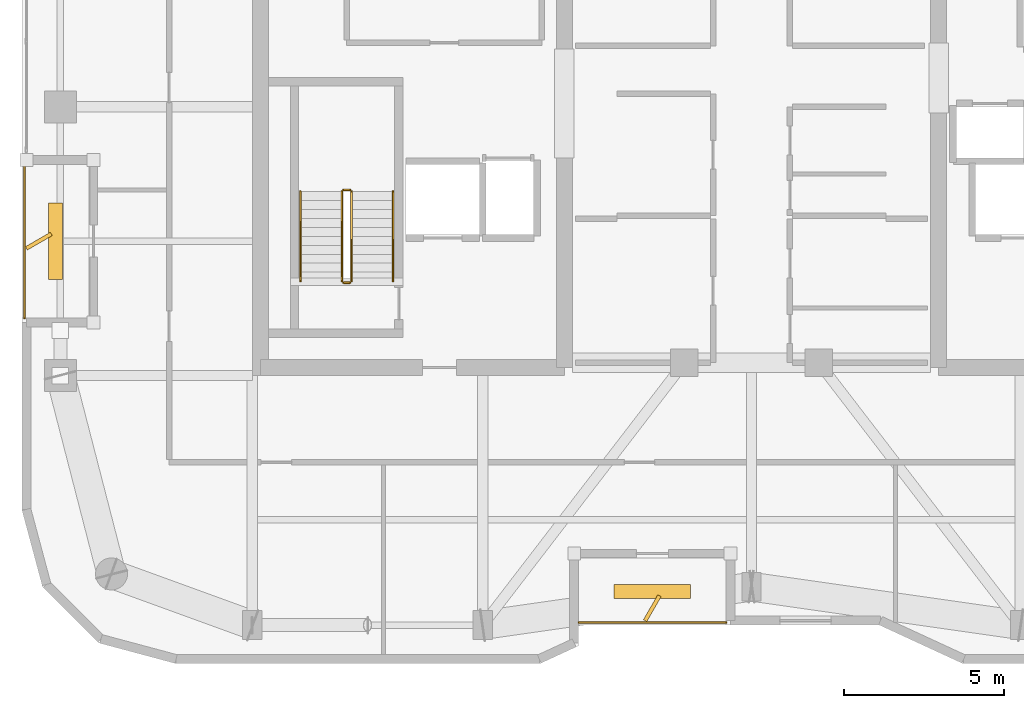
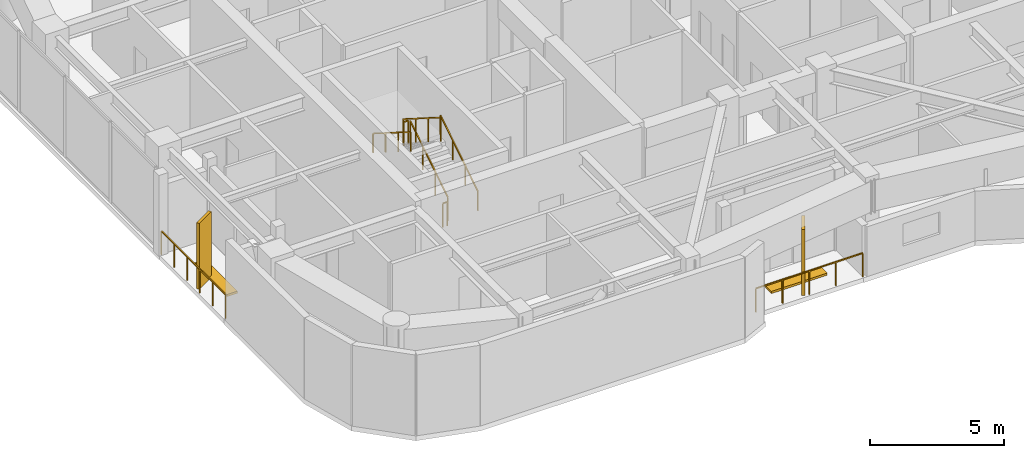
# One storey, part 14 of 15: 8 railings, 4 shading devices.
"""IFC4 building model written with IfcOpenShell, lengths in metres."""

import ifcopenshell
import ifcopenshell.guid

model = None  # the IFC model being written
_history = None  # IfcOwnerHistory: only IFC2X3 demands one
_inside = {}  # id of a spatial element -> (the spatial element, [elements in it])
_under = {}  # id of a project, library or spatial element -> (it, [spatial elements below it])
_declared = {}  # id of a project -> (the project, [libraries it declares])
_typed = {}  # id of a type object -> (the type object, [elements of that type])
_made_of = {}  # id of a material, layer set ... -> (it, [elements and type objects made of it])


def new_model(schema):
    """Start an empty IFC model of exactly this schema.

    Asked for "IFC4X3", IfcOpenShell would pick the latest addendum, in which some entities
    have other attributes; the version numbers below select the first issue.
    IFC2X3 requires an IfcOwnerHistory on every rooted entity: one is made here for all.
    """
    global model, _history
    if schema == "IFC4X3":
        model = ifcopenshell.file(schema_version=(4, 3, 0, 0))
    else:
        model = ifcopenshell.file(schema=schema)
    _inside.clear()
    _under.clear()
    _declared.clear()
    _typed.clear()
    _made_of.clear()
    _history = None
    if model.schema == "IFC2X3":
        org = make("IfcOrganization", Name="unknown")
        user = make(
            "IfcPersonAndOrganization",
            ThePerson=make("IfcPerson", FamilyName="unknown"),
            TheOrganization=org,
        )
        app = make(
            "IfcApplication",
            ApplicationDeveloper=org,
            Version="unknown",
            ApplicationFullName="unknown",
            ApplicationIdentifier="unknown",
        )
        _history = make(
            "IfcOwnerHistory",
            OwningUser=user,
            OwningApplication=app,
            ChangeAction="ADDED",
            CreationDate=0,
        )
    return model


def make(cls, **values):
    """One entity of the class cls with the attributes given. An attribute that is None is left unset."""
    return model.create_entity(
        cls, **{name: value for name, value in values.items() if value is not None}
    )


def rooted(cls, **values):
    """An entity with a GlobalId (a new one), such as an element, a storey or a relation."""
    return make(cls, GlobalId=ifcopenshell.guid.new(), OwnerHistory=_history, **values)


def si_unit(unit_type, name, prefix=None):
    """IfcSIUnit, for example si_unit("LENGTHUNIT", "METRE", prefix="MILLI")."""
    return make("IfcSIUnit", UnitType=unit_type, Prefix=prefix, Name=name)


def assignment(units):
    """IfcUnitAssignment: the units of a project."""
    return None if units is None else make("IfcUnitAssignment", Units=units)


def point(xyz):
    """IfcCartesianPoint."""
    return None if xyz is None else make("IfcCartesianPoint", Coordinates=xyz)


def direction(xyz):
    """IfcDirection."""
    return None if xyz is None else make("IfcDirection", DirectionRatios=xyz)


def frame(location, z_axis=None, x_axis=None):
    """IfcAxis2Placement3D, a coordinate frame: its origin and axes. An axis left out is left unset."""
    return make(
        "IfcAxis2Placement3D",
        Location=point(location),
        Axis=direction(z_axis),
        RefDirection=direction(x_axis),
    )


def frame_2d(location, x_axis=None):
    """IfcAxis2Placement2D, a coordinate frame in the plane: its origin and x axis."""
    return make(
        "IfcAxis2Placement2D", Location=point(location), RefDirection=direction(x_axis)
    )


def origin():
    """The frame at (0, 0, 0) with its axes left unset."""
    return frame((0.0, 0.0, 0.0))


def origin_2d():
    """The frame at (0, 0) in the plane with its x axis left unset."""
    return frame_2d((0.0, 0.0))


def place(relative_to, where):
    """IfcLocalPlacement: puts the frame where relative to a parent placement (None: the world)."""
    return make(
        "IfcLocalPlacement", PlacementRelTo=relative_to, RelativePlacement=where
    )


def context(
    kind, dimensions, precision=None, world=None, true_north=None, identifier=None
):
    """IfcGeometricRepresentationContext, for example the 3D "Model" context."""
    return make(
        "IfcGeometricRepresentationContext",
        ContextIdentifier=identifier,
        ContextType=kind,
        CoordinateSpaceDimension=dimensions,
        Precision=precision,
        WorldCoordinateSystem=world,
        TrueNorth=true_north,
    )


def subcontext(parent, identifier, kind, view, scale=None):
    """IfcGeometricRepresentationSubContext, for example "Body" below "Model"."""
    return make(
        "IfcGeometricRepresentationSubContext",
        ContextIdentifier=identifier,
        ContextType=kind,
        ParentContext=parent,
        TargetScale=scale,
        TargetView=view,
    )


def project(units=None, contexts=None):
    """IfcProject with its units and contexts."""
    return rooted(
        "IfcProject",
        Name="project",
        RepresentationContexts=contexts,
        UnitsInContext=assignment(units),
    )


def spatial(cls, under=None, at=None, **own):
    """A site, building, storey or space (cls), placed at a placement, below another one or the project."""
    s = rooted(cls, ObjectPlacement=at, **own)
    if under is not None:
        _under.setdefault(under.id(), (under, []))[1].append(s)
    return s


def profile(cls, at=None, kind="AREA", **sizes):
    """A parametric profile (cls). Its sizes go by their IFC names, for example OverallWidth=200.0."""
    return make(cls, ProfileType=kind, Position=at, **sizes)


def rectangle(**sizes):
    """IfcRectangleProfileDef."""
    return profile("IfcRectangleProfileDef", **sizes)


def extrude(swept, where, along, depth):
    """IfcExtrudedAreaSolid: the profile swept, set in the frame where, extruded along a direction by depth."""
    return make(
        "IfcExtrudedAreaSolid",
        SweptArea=swept,
        Position=where,
        ExtrudedDirection=direction(along),
        Depth=depth,
    )


def shape(context_of_items, identifier, shape_type, items):
    """IfcShapeRepresentation: the items that make up one representation, for example the "Body"."""
    return make(
        "IfcShapeRepresentation",
        ContextOfItems=context_of_items,
        RepresentationIdentifier=identifier,
        RepresentationType=shape_type,
        Items=items,
    )


def material(Name=None, Category=None):
    """IfcMaterial."""
    return make("IfcMaterial", Name=Name, Category=Category)


def made_of(thing, what):
    """Note that an element or type object is made of a material, layer set ...; save() writes the relation."""
    if what is not None:
        _made_of.setdefault(what.id(), (what, []))[1].append(thing)
    return thing


def type_object(cls, material=None, **own):
    """A type object (cls), such as IfcWallType, which elements share."""
    return made_of(rooted(cls, **own), material)


def element(
    cls,
    number,
    at=None,
    inside=None,
    cuts=None,
    type_object=None,
    material=None,
    context=None,
    identifier="Body",
    shape_type=None,
    held_by="IfcProductDefinitionShape",
    body=None,
    shapes=None,
    **own,
):
    """One element of the class cls, such as IfcWall. Its Tag is "e" and its number.

    at: its placement. inside: the storey or other place that contains it. cuts: it is an
    opening in that element (IfcRelVoidsElement). A single representation is given by context,
    identifier, shape_type and body (its items); several are given by shapes. held_by: the class
    of the entity that holds the representations. save() writes the other relations.
    """
    e = rooted(cls, Tag="e%d" % number, ObjectPlacement=at, **own)
    if body is not None:
        shapes = [shape(context, identifier, shape_type, body)]
    if shapes is not None:
        e.Representation = make(held_by, Representations=shapes)
    if inside is not None:
        _inside.setdefault(inside.id(), (inside, []))[1].append(e)
    if cuts is not None:
        rooted(
            "IfcRelVoidsElement", RelatingBuildingElement=cuts, RelatedOpeningElement=e
        )
    if type_object is not None:
        _typed.setdefault(type_object.id(), (type_object, []))[1].append(e)
    return made_of(e, material)


def aggregate(whole, parts):
    """IfcRelAggregates: a whole, such as a stair, and the parts it consists of."""
    return rooted("IfcRelAggregates", RelatingObject=whole, RelatedObjects=parts)


def save(model, path):
    """Write the relations noted so far, then the file.

    IfcRelAggregates (storeys below a building ...), IfcRelContainedInSpatialStructure (elements
    in a storey), IfcRelDefinesByType, IfcRelAssociatesMaterial and IfcRelDeclares: one each for
    every whole, place, type object, material and project.
    """
    for whole, parts in _under.values():
        aggregate(whole, parts)
    for where, things in _inside.values():
        rooted(
            "IfcRelContainedInSpatialStructure",
            RelatedElements=things,
            RelatingStructure=where,
        )
    for kind, things in _typed.values():
        rooted("IfcRelDefinesByType", RelatedObjects=things, RelatingType=kind)
    for what, things in _made_of.values():
        rooted("IfcRelAssociatesMaterial", RelatedObjects=things, RelatingMaterial=what)
    for by, libraries in _declared.values():
        rooted("IfcRelDeclares", RelatingContext=by, RelatedDefinitions=libraries)
    model.write(path)


model = new_model("IFC4")

# Units and contexts
model_context = context("Model", 3, precision=1e-05, world=origin(), true_north=direction((0.0, 1.0)))
body_context = subcontext(model_context, "Body", "Model", "MODEL_VIEW")
ifc_project = project(units=[si_unit("LENGTHUNIT", "METRE"), si_unit("AREAUNIT", "SQUARE_METRE"), si_unit("VOLUMEUNIT", "CUBIC_METRE"), si_unit("PLANEANGLEUNIT", "RADIAN"), si_unit("MASSUNIT", "GRAM", prefix="KILO")], contexts=[model_context])

# Site, building, storey
site_placement = place(None, origin())
site = spatial("IfcSite", under=ifc_project, at=site_placement, CompositionType="ELEMENT")
building_placement = place(site_placement, origin())
building = spatial("IfcBuilding", under=site, at=building_placement, Name="Kiyonajd Concourse Tower", CompositionType="ELEMENT")
storey_placement = place(building_placement, frame((0.0, 0.0, 266.699951171875)))
storey = spatial("IfcBuildingStorey", under=building, at=storey_placement, Name="L67", CompositionType="ELEMENT", Elevation=266.699951171875)

# Railings
ifc_material_1 = material(Name="Thermally Broken Anodised Aluminium", Category="aluminium")
railing_type_1 = type_object("IfcRailingType", Name="RL-GRD-LOG", PredefinedType="GUARDRAIL", material=ifc_material_1)
railing_1_placement = place(storey_placement, frame((42.60009765625, 19.8798828125, 0.0)))
element("IfcRailing", 1, at=railing_1_placement, inside=storey, type_object=railing_type_1, Name="L67 Engawa Loggia Perimeter Guard LOG-S", PredefinedType="GUARDRAIL", context=body_context, shape_type="SweptSolid", body=[
    extrude(rectangle(XDim=0.048095703125, YDim=0.048095703125, at=origin_2d()), frame((0.0, 0.0, 1.076171875), z_axis=(1.0, 0.0, 0.0), x_axis=(0.0, 1.0, 0.0)), (0.0, 0.0, 1.0), 4.599853515625),
    extrude(rectangle(XDim=0.0419921875, YDim=0.0419921875, at=origin_2d()), origin(), (0.0, 0.0, 1.0), 1.052001953125),
    extrude(rectangle(XDim=0.0419921875, YDim=0.0419921875, at=origin_2d()), frame((1.14990234375, 0.0, 0.0)), (0.0, 0.0, 1.0), 1.052001953125),
    extrude(rectangle(XDim=0.0419921875, YDim=0.0419921875, at=origin_2d()), frame((2.2998046875, 0.0, 0.0)), (0.0, 0.0, 1.0), 1.052001953125),
    extrude(rectangle(XDim=0.0419921875, YDim=0.0419921875, at=origin_2d()), frame((3.449951171875, 0.0, 0.0)), (0.0, 0.0, 1.0), 1.052001953125),
    extrude(rectangle(XDim=0.0419921875, YDim=0.0419921875, at=origin_2d()), frame((4.599853515625, 0.0, 0.0)), (0.0, 0.0, 1.0), 1.052001953125),
])
railing_2_placement = place(storey_placement, frame((25.280029296875, 34.199951171875, 0.0)))
element("IfcRailing", 2, at=railing_2_placement, inside=storey, type_object=railing_type_1, Name="L67 Engawa Loggia Perimeter Guard LOG-W", PredefinedType="GUARDRAIL", context=body_context, shape_type="SweptSolid", body=[
    extrude(rectangle(XDim=0.048095703125, YDim=0.048095703125, at=origin_2d()), frame((0.0, 0.0, 1.076171875), z_axis=(0.0, -1.0, 0.0), x_axis=(1.0, 0.0, 0.0)), (0.0, 0.0, 1.0), 4.800048828125),
    extrude(rectangle(XDim=0.0419921875, YDim=0.0419921875, at=origin_2d()), origin(), (0.0, 0.0, 1.0), 1.052001953125),
    extrude(rectangle(XDim=0.0419921875, YDim=0.0419921875, at=origin_2d()), frame((0.0, -0.9599609375, 0.0)), (0.0, 0.0, 1.0), 1.052001953125),
    extrude(rectangle(XDim=0.0419921875, YDim=0.0419921875, at=origin_2d()), frame((0.0, -1.919921875, 0.0)), (0.0, 0.0, 1.0), 1.052001953125),
    extrude(rectangle(XDim=0.0419921875, YDim=0.0419921875, at=origin_2d()), frame((0.0, -2.880126953125, 0.0)), (0.0, 0.0, 1.0), 1.052001953125),
    extrude(rectangle(XDim=0.0419921875, YDim=0.0419921875, at=origin_2d()), frame((0.0, -3.840087890625, 0.0)), (0.0, 0.0, 1.0), 1.052001953125),
    extrude(rectangle(XDim=0.0419921875, YDim=0.0419921875, at=origin_2d()), frame((0.0, -4.800048828125, 0.0)), (0.0, 0.0, 1.0), 1.052001953125),
])
ifc_material_2 = material(Name="Steel ASTM A500 Grade C", Category="steel")
railing_type_2 = type_object("IfcRailingType", Name="RL-GRD-STR", PredefinedType="GUARDRAIL", material=ifc_material_2)
railing_3_placement = place(storey_placement, frame((35.5, 30.550048828125, 0.17724609375)))
element("IfcRailing", 3, at=railing_3_placement, inside=storey, type_object=railing_type_2, Name="L67 ST1 stair guard 1", PredefinedType="GUARDRAIL", context=body_context, shape_type="SweptSolid", body=[
    extrude(rectangle(XDim=0.048095703125, YDim=0.048095703125, at=origin_2d()), frame((0.0, 0.0, 1.076171875), z_axis=(0.0, 0.844908973607, 0.534910110503), x_axis=(-1.0, 0.0, 0.0)), (0.0, 0.0, 1.0), 3.31396484375),
    extrude(rectangle(XDim=0.0419921875, YDim=0.0419921875, at=origin_2d()), origin(), (0.0, 0.0, 1.0), 1.052001953125),
    extrude(rectangle(XDim=0.0419921875, YDim=0.0419921875, at=origin_2d()), frame((0.0, 0.933349609375, 0.5908203125)), (0.0, 0.0, 1.0), 1.052001953125),
    extrude(rectangle(XDim=0.0419921875, YDim=0.0419921875, at=origin_2d()), frame((0.0, 1.86669921875, 1.181884765625)), (0.0, 0.0, 1.0), 1.052001953125),
    extrude(rectangle(XDim=0.0419921875, YDim=0.0419921875, at=origin_2d()), frame((0.0, 2.800048828125, 1.772705078125)), (0.0, 0.0, 1.0), 1.052001953125),
])
railing_4_placement = place(storey_placement, frame((35.449951171875, 33.39990234375, 1.949951171875)))
element("IfcRailing", 4, at=railing_4_placement, inside=storey, type_object=railing_type_2, Name="L67 ST1 stair guard 2", PredefinedType="GUARDRAIL", context=body_context, shape_type="SweptSolid", body=[
    extrude(rectangle(XDim=0.048095703125, YDim=0.048095703125, at=origin_2d()), frame((0.0, 0.0, 1.076171875), z_axis=(-1.0, 0.0, 0.0), x_axis=(0.0, -1.0, 0.0)), (0.0, 0.0, 1.0), 0.199951171875),
    extrude(rectangle(XDim=0.0419921875, YDim=0.0419921875, at=origin_2d()), origin(), (0.0, 0.0, 1.0), 1.052001953125),
    extrude(rectangle(XDim=0.0419921875, YDim=0.0419921875, at=origin_2d()), frame((-0.199951171875, 0.0, 0.0)), (0.0, 0.0, 1.0), 1.052001953125),
])
railing_5_placement = place(storey_placement, frame((35.199951171875, 33.35009765625, 2.12744140625)))
element("IfcRailing", 5, at=railing_5_placement, inside=storey, type_object=railing_type_2, Name="L67 ST1 stair guard 3", PredefinedType="GUARDRAIL", context=body_context, shape_type="SweptSolid", body=[
    extrude(rectangle(XDim=0.048095703125, YDim=0.048095703125, at=origin_2d()), frame((0.0, 0.0, 1.076171875), z_axis=(0.0, -0.844908973607, 0.534910110503), x_axis=(1.0, 0.0, 0.0)), (0.0, 0.0, 1.0), 3.31396484375),
    extrude(rectangle(XDim=0.0419921875, YDim=0.0419921875, at=origin_2d()), origin(), (0.0, 0.0, 1.0), 1.052001953125),
    extrude(rectangle(XDim=0.0419921875, YDim=0.0419921875, at=origin_2d()), frame((0.0, -0.933349609375, 0.5908203125)), (0.0, 0.0, 1.0), 1.052001953125),
    extrude(rectangle(XDim=0.0419921875, YDim=0.0419921875, at=origin_2d()), frame((0.0, -1.86669921875, 1.181884765625)), (0.0, 0.0, 1.0), 1.052001953125),
    extrude(rectangle(XDim=0.0419921875, YDim=0.0419921875, at=origin_2d()), frame((0.0, -2.800048828125, 1.772705078125)), (0.0, 0.0, 1.0), 1.052001953125),
])
railing_6_placement = place(storey_placement, frame((35.449951171875, 30.5, 0.0)))
element("IfcRailing", 6, at=railing_6_placement, inside=storey, type_object=railing_type_2, Name="L67 ST1 stair guard 4", PredefinedType="GUARDRAIL", context=body_context, shape_type="SweptSolid", body=[
    extrude(rectangle(XDim=0.048095703125, YDim=0.048095703125, at=origin_2d()), frame((0.0, 0.0, 1.076171875), z_axis=(-1.0, 0.0, 0.0), x_axis=(0.0, -1.0, 0.0)), (0.0, 0.0, 1.0), 0.199951171875),
    extrude(rectangle(XDim=0.0419921875, YDim=0.0419921875, at=origin_2d()), origin(), (0.0, 0.0, 1.0), 1.052001953125),
    extrude(rectangle(XDim=0.0419921875, YDim=0.0419921875, at=origin_2d()), frame((-0.199951171875, 0.0, 0.0)), (0.0, 0.0, 1.0), 1.052001953125),
])
ifc_material_3 = material(Name="Brushed Stainless Steel Cab Assembly", Category="steel")
railing_type_3 = type_object("IfcRailingType", Name="RL-HND-900", PredefinedType="HANDRAIL", material=ifc_material_3)
railing_7_placement = place(storey_placement, frame((36.800048828125, 30.550048828125, 0.17724609375)))
element("IfcRailing", 7, at=railing_7_placement, inside=storey, type_object=railing_type_3, Name="L67 ST1 stair handrail 1", PredefinedType="HANDRAIL", context=body_context, shape_type="SweptSolid", body=[
    extrude(rectangle(XDim=0.048095703125, YDim=0.048095703125, at=origin_2d()), frame((0.0, 0.0, 0.8759765625), z_axis=(0.0, 0.844908973607, 0.534910110503), x_axis=(-1.0, 0.0, 0.0)), (0.0, 0.0, 1.0), 3.31396484375),
    extrude(rectangle(XDim=0.0419921875, YDim=0.0419921875, at=origin_2d()), origin(), (0.0, 0.0, 1.0), 0.851806640625),
    extrude(rectangle(XDim=0.0419921875, YDim=0.0419921875, at=origin_2d()), frame((0.0, 0.933349609375, 0.5908203125)), (0.0, 0.0, 1.0), 0.851806640625),
    extrude(rectangle(XDim=0.0419921875, YDim=0.0419921875, at=origin_2d()), frame((0.0, 1.86669921875, 1.181884765625)), (0.0, 0.0, 1.0), 0.851806640625),
    extrude(rectangle(XDim=0.0419921875, YDim=0.0419921875, at=origin_2d()), frame((0.0, 2.800048828125, 1.772705078125)), (0.0, 0.0, 1.0), 0.851806640625),
])
railing_8_placement = place(storey_placement, frame((33.89990234375, 33.35009765625, 2.12744140625)))
element("IfcRailing", 8, at=railing_8_placement, inside=storey, type_object=railing_type_3, Name="L67 ST1 stair handrail 2", PredefinedType="HANDRAIL", context=body_context, shape_type="SweptSolid", body=[
    extrude(rectangle(XDim=0.048095703125, YDim=0.048095703125, at=origin_2d()), frame((0.0, 0.0, 0.8759765625), z_axis=(0.0, -0.844908973607, 0.534910110503), x_axis=(1.0, 0.0, 0.0)), (0.0, 0.0, 1.0), 3.31396484375),
    extrude(rectangle(XDim=0.0419921875, YDim=0.0419921875, at=origin_2d()), origin(), (0.0, 0.0, 1.0), 0.851806640625),
    extrude(rectangle(XDim=0.0419921875, YDim=0.0419921875, at=origin_2d()), frame((0.0, -0.933349609375, 0.5908203125)), (0.0, 0.0, 1.0), 0.851806640625),
    extrude(rectangle(XDim=0.0419921875, YDim=0.0419921875, at=origin_2d()), frame((0.0, -1.86669921875, 1.181884765625)), (0.0, 0.0, 1.0), 0.851806640625),
    extrude(rectangle(XDim=0.0419921875, YDim=0.0419921875, at=origin_2d()), frame((0.0, -2.800048828125, 1.772705078125)), (0.0, 0.0, 1.0), 0.851806640625),
])

# Shading devices
ifc_material_4 = material(Name="Precast concrete C50/60", Category="concrete")
shading_device_type_1 = type_object("IfcShadingDeviceType", Name="SH-FIN-900", PredefinedType="USERDEFINED", material=ifc_material_4)
for number, where, z_axis, x_axis, name in (
    (9, (44.89990234375, 20.330078125, 0.0), (0.0, 0.0, 1.0), (0.5, 0.866025403784, 0.0), "L67 Angled Koshi Solar Fin LOG-S"),
    (10, (25.72998046875, 31.800048828125, 0.0), (0.0, 0.0, 1.0), (0.866025403784, 0.5, 0.0), "L67 Angled Koshi Solar Fin LOG-W"),
):
    element("IfcShadingDevice", number, at=place(storey_placement, frame(where, z_axis=z_axis, x_axis=x_axis)), inside=storey, type_object=shading_device_type_1, Name=name, ObjectType="FIN", PredefinedType="USERDEFINED", context=body_context, shape_type="SweptSolid", body=[
        extrude(rectangle(XDim=0.89990234375, YDim=0.1201171875, at=origin_2d()), origin(), (0.0, 0.0, 1.0), 3.0),
    ])
shading_device_type_2 = type_object("IfcShadingDeviceType", Name="SH-LVR-600", PredefinedType="JALOUSIE", material=ifc_material_1)
for number, where, z_axis, x_axis, name in (
    (11, (44.89990234375, 20.85009765625, 0.0), (0.0, 0.0, 1.0), (1.0, 0.0, 0.0), "L67 Loggia Threshold Louver LOG-S"),
    (12, (26.25, 31.800048828125, 0.0), (0.0, 0.0, 1.0), (0.0, 1.0, 0.0), "L67 Loggia Threshold Louver LOG-W"),
):
    element("IfcShadingDevice", number, at=place(storey_placement, frame(where, z_axis=z_axis, x_axis=x_axis)), inside=storey, type_object=shading_device_type_2, Name=name, PredefinedType="JALOUSIE", context=body_context, shape_type="SweptSolid", body=[
        extrude(rectangle(XDim=2.39990234375, YDim=0.449951171875, at=origin_2d()), origin(), (0.0, 0.0, 1.0), 0.10009765625),
    ])

save(model, "model.ifc")
